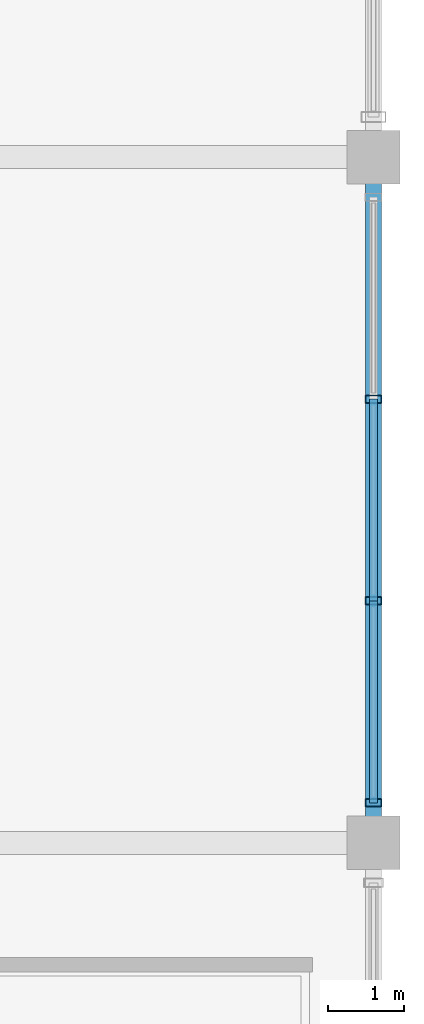
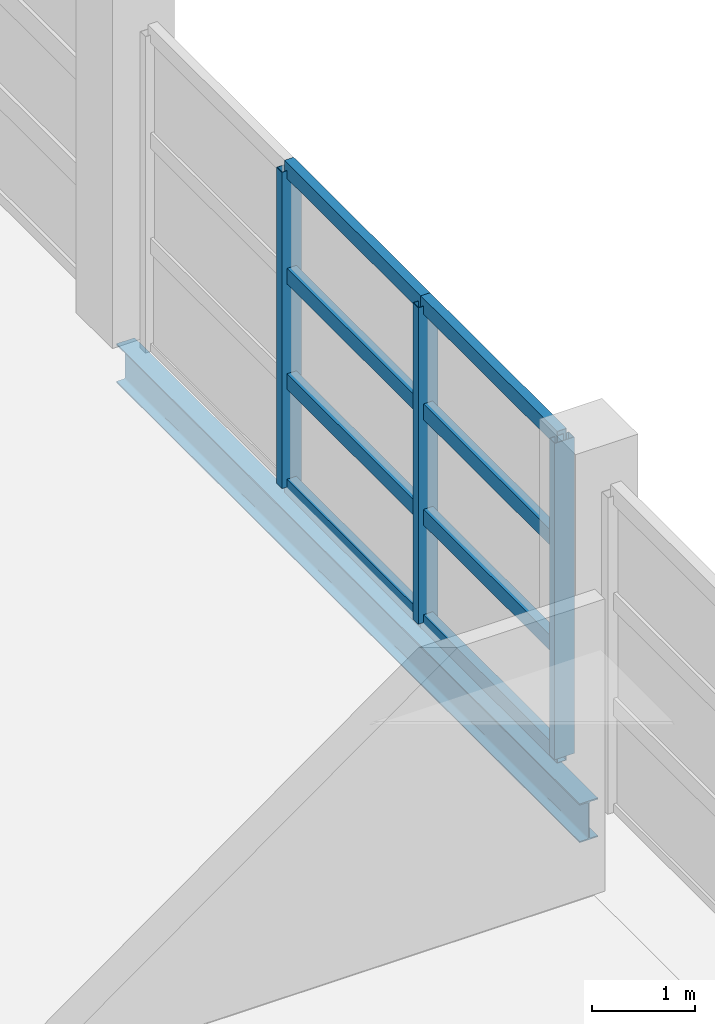
# One storey, part 64 of 136: 11 members, 1 beam, 1 element without a shape of its own.
"""IFC4 building model written with IfcOpenShell, lengths in metres."""

import ifcopenshell
import ifcopenshell.guid

model = None  # the IFC model being written
_history = None  # IfcOwnerHistory: only IFC2X3 demands one
_inside = {}  # id of a spatial element -> (the spatial element, [elements in it])
_under = {}  # id of a project, library or spatial element -> (it, [spatial elements below it])
_declared = {}  # id of a project -> (the project, [libraries it declares])
_typed = {}  # id of a type object -> (the type object, [elements of that type])
_made_of = {}  # id of a material, layer set ... -> (it, [elements and type objects made of it])


def new_model(schema):
    """Start an empty IFC model of exactly this schema.

    Asked for "IFC4X3", IfcOpenShell would pick the latest addendum, in which some entities
    have other attributes; the version numbers below select the first issue.
    IFC2X3 requires an IfcOwnerHistory on every rooted entity: one is made here for all.
    """
    global model, _history
    if schema == "IFC4X3":
        model = ifcopenshell.file(schema_version=(4, 3, 0, 0))
    else:
        model = ifcopenshell.file(schema=schema)
    _inside.clear()
    _under.clear()
    _declared.clear()
    _typed.clear()
    _made_of.clear()
    _history = None
    if model.schema == "IFC2X3":
        org = make("IfcOrganization", Name="unknown")
        user = make(
            "IfcPersonAndOrganization",
            ThePerson=make("IfcPerson", FamilyName="unknown"),
            TheOrganization=org,
        )
        app = make(
            "IfcApplication",
            ApplicationDeveloper=org,
            Version="unknown",
            ApplicationFullName="unknown",
            ApplicationIdentifier="unknown",
        )
        _history = make(
            "IfcOwnerHistory",
            OwningUser=user,
            OwningApplication=app,
            ChangeAction="ADDED",
            CreationDate=0,
        )
    return model


def make(cls, **values):
    """One entity of the class cls with the attributes given. An attribute that is None is left unset."""
    return model.create_entity(
        cls, **{name: value for name, value in values.items() if value is not None}
    )


def rooted(cls, **values):
    """An entity with a GlobalId (a new one), such as an element, a storey or a relation."""
    return make(cls, GlobalId=ifcopenshell.guid.new(), OwnerHistory=_history, **values)


def si_unit(unit_type, name, prefix=None):
    """IfcSIUnit, for example si_unit("LENGTHUNIT", "METRE", prefix="MILLI")."""
    return make("IfcSIUnit", UnitType=unit_type, Prefix=prefix, Name=name)


def assignment(units):
    """IfcUnitAssignment: the units of a project."""
    return None if units is None else make("IfcUnitAssignment", Units=units)


def point(xyz):
    """IfcCartesianPoint."""
    return None if xyz is None else make("IfcCartesianPoint", Coordinates=xyz)


def direction(xyz):
    """IfcDirection."""
    return None if xyz is None else make("IfcDirection", DirectionRatios=xyz)


def frame(location, z_axis=None, x_axis=None):
    """IfcAxis2Placement3D, a coordinate frame: its origin and axes. An axis left out is left unset."""
    return make(
        "IfcAxis2Placement3D",
        Location=point(location),
        Axis=direction(z_axis),
        RefDirection=direction(x_axis),
    )


def frame_2d(location, x_axis=None):
    """IfcAxis2Placement2D, a coordinate frame in the plane: its origin and x axis."""
    return make(
        "IfcAxis2Placement2D", Location=point(location), RefDirection=direction(x_axis)
    )


def origin():
    """The frame at (0, 0, 0) with its axes left unset."""
    return frame((0.0, 0.0, 0.0))


def origin_2d():
    """The frame at (0, 0) in the plane with its x axis left unset."""
    return frame_2d((0.0, 0.0))


def place(relative_to, where):
    """IfcLocalPlacement: puts the frame where relative to a parent placement (None: the world)."""
    return make(
        "IfcLocalPlacement", PlacementRelTo=relative_to, RelativePlacement=where
    )


def context(
    kind, dimensions, precision=None, world=None, true_north=None, identifier=None
):
    """IfcGeometricRepresentationContext, for example the 3D "Model" context."""
    return make(
        "IfcGeometricRepresentationContext",
        ContextIdentifier=identifier,
        ContextType=kind,
        CoordinateSpaceDimension=dimensions,
        Precision=precision,
        WorldCoordinateSystem=world,
        TrueNorth=true_north,
    )


def subcontext(parent, identifier, kind, view, scale=None):
    """IfcGeometricRepresentationSubContext, for example "Body" below "Model"."""
    return make(
        "IfcGeometricRepresentationSubContext",
        ContextIdentifier=identifier,
        ContextType=kind,
        ParentContext=parent,
        TargetScale=scale,
        TargetView=view,
    )


def project(units=None, contexts=None):
    """IfcProject with its units and contexts."""
    return rooted(
        "IfcProject",
        Name="project",
        RepresentationContexts=contexts,
        UnitsInContext=assignment(units),
    )


def spatial(cls, under=None, at=None, **own):
    """A site, building, storey or space (cls), placed at a placement, below another one or the project."""
    s = rooted(cls, ObjectPlacement=at, **own)
    if under is not None:
        _under.setdefault(under.id(), (under, []))[1].append(s)
    return s


def profile(cls, at=None, kind="AREA", **sizes):
    """A parametric profile (cls). Its sizes go by their IFC names, for example OverallWidth=200.0."""
    return make(cls, ProfileType=kind, Position=at, **sizes)


def hollow_rectangle(**sizes):
    """IfcRectangleHollowProfileDef."""
    return profile("IfcRectangleHollowProfileDef", **sizes)


def i_section(**sizes):
    """IfcIShapeProfileDef."""
    return profile("IfcIShapeProfileDef", **sizes)


def extrude(swept, where, along, depth):
    """IfcExtrudedAreaSolid: the profile swept, set in the frame where, extruded along a direction by depth."""
    return make(
        "IfcExtrudedAreaSolid",
        SweptArea=swept,
        Position=where,
        ExtrudedDirection=direction(along),
        Depth=depth,
    )


def shape(context_of_items, identifier, shape_type, items):
    """IfcShapeRepresentation: the items that make up one representation, for example the "Body"."""
    return make(
        "IfcShapeRepresentation",
        ContextOfItems=context_of_items,
        RepresentationIdentifier=identifier,
        RepresentationType=shape_type,
        Items=items,
    )


def material(Name=None, Category=None):
    """IfcMaterial."""
    return make("IfcMaterial", Name=Name, Category=Category)


def material_profile(
    of_material, cross_section, Name=None, Category=None, Priority=None
):
    """IfcMaterialProfile: a cross section and its material."""
    return make(
        "IfcMaterialProfile",
        Name=Name,
        Material=of_material,
        Profile=cross_section,
        Priority=Priority,
        Category=Category,
    )


def profile_set(profiles, Name=None, composite=None):
    """IfcMaterialProfileSet."""
    return make(
        "IfcMaterialProfileSet",
        Name=Name,
        MaterialProfiles=profiles,
        CompositeProfile=composite,
    )


def made_of(thing, what):
    """Note that an element or type object is made of a material, layer set ...; save() writes the relation."""
    if what is not None:
        _made_of.setdefault(what.id(), (what, []))[1].append(thing)
    return thing


def type_object(cls, material=None, **own):
    """A type object (cls), such as IfcWallType, which elements share."""
    return made_of(rooted(cls, **own), material)


def element(
    cls,
    number,
    at=None,
    inside=None,
    cuts=None,
    type_object=None,
    material=None,
    context=None,
    identifier="Body",
    shape_type=None,
    held_by="IfcProductDefinitionShape",
    body=None,
    shapes=None,
    **own,
):
    """One element of the class cls, such as IfcWall. Its Tag is "e" and its number.

    at: its placement. inside: the storey or other place that contains it. cuts: it is an
    opening in that element (IfcRelVoidsElement). A single representation is given by context,
    identifier, shape_type and body (its items); several are given by shapes. held_by: the class
    of the entity that holds the representations. save() writes the other relations.
    """
    e = rooted(cls, Tag="e%d" % number, ObjectPlacement=at, **own)
    if body is not None:
        shapes = [shape(context, identifier, shape_type, body)]
    if shapes is not None:
        e.Representation = make(held_by, Representations=shapes)
    if inside is not None:
        _inside.setdefault(inside.id(), (inside, []))[1].append(e)
    if cuts is not None:
        rooted(
            "IfcRelVoidsElement", RelatingBuildingElement=cuts, RelatedOpeningElement=e
        )
    if type_object is not None:
        _typed.setdefault(type_object.id(), (type_object, []))[1].append(e)
    return made_of(e, material)


def aggregate(whole, parts):
    """IfcRelAggregates: a whole, such as a stair, and the parts it consists of."""
    return rooted("IfcRelAggregates", RelatingObject=whole, RelatedObjects=parts)


def save(model, path):
    """Write the relations noted so far, then the file.

    IfcRelAggregates (storeys below a building ...), IfcRelContainedInSpatialStructure (elements
    in a storey), IfcRelDefinesByType, IfcRelAssociatesMaterial and IfcRelDeclares: one each for
    every whole, place, type object, material and project.
    """
    for whole, parts in _under.values():
        aggregate(whole, parts)
    for where, things in _inside.values():
        rooted(
            "IfcRelContainedInSpatialStructure",
            RelatedElements=things,
            RelatingStructure=where,
        )
    for kind, things in _typed.values():
        rooted("IfcRelDefinesByType", RelatedObjects=things, RelatingType=kind)
    for what, things in _made_of.values():
        rooted("IfcRelAssociatesMaterial", RelatedObjects=things, RelatingMaterial=what)
    for by, libraries in _declared.values():
        rooted("IfcRelDeclares", RelatingContext=by, RelatedDefinitions=libraries)
    model.write(path)


model = new_model("IFC4")

# Units and contexts
model_context = context("Model", 3, precision=1e-05, world=origin(), true_north=direction((0.0, 1.0)))
body_context = subcontext(model_context, "Body", "Model", "MODEL_VIEW")
ifc_project = project(units=[si_unit("LENGTHUNIT", "METRE"), si_unit("AREAUNIT", "SQUARE_METRE"), si_unit("VOLUMEUNIT", "CUBIC_METRE"), si_unit("PLANEANGLEUNIT", "RADIAN"), si_unit("MASSUNIT", "GRAM", prefix="KILO")], contexts=[model_context])

# Site, building, storey
site_placement = place(None, origin())
site = spatial("IfcSite", under=ifc_project, at=site_placement, CompositionType="ELEMENT")
building_placement = place(site_placement, origin())
building = spatial("IfcBuilding", under=site, at=building_placement, Name="Chuanluo Vaults Station", CompositionType="ELEMENT")
storey_placement = place(building_placement, frame((0.0, 0.0, 6.60009765625)))
storey = spatial("IfcBuildingStorey", under=building, at=storey_placement, Name="L01", CompositionType="ELEMENT", Elevation=6.60009765625)

# Beam
ifc_material_1 = material(Name="Steel Q355C", Category="steel")
ifc_material_profile_1 = material_profile(ifc_material_1, i_section(OverallWidth=0.205078125, OverallDepth=0.4599609375, WebThickness=0.009033203125, FlangeThickness=0.013916015625, FilletRadius=0.01611328125, at=origin_2d()))
ifc_profile_set_1 = profile_set([ifc_material_profile_1], Name="Steel Q355C")
beam_type = type_object("IfcBeamType", Name="BM-SPN-450", PredefinedType="SPANDREL", material=ifc_profile_set_1)
beam_placement = place(storey_placement, frame((188.0, 9.0, -0.47021484375), z_axis=(0.0, 1.0, 0.0), x_axis=(-1.0, 0.0, 0.0)))
element("IfcBeam", 1, at=beam_placement, inside=storey, type_object=beam_type, Name="Floor girder BM:GY:L01:0524", PredefinedType="SPANDREL", context=body_context, shape_type="SweptSolid", body=[
    extrude(i_section(OverallWidth=0.205078125, OverallDepth=0.4599609375, WebThickness=0.009033203125, FlangeThickness=0.013916015625, FilletRadius=0.01611328125, at=origin_2d()), origin(), (0.0, 0.0, 1.0), 9.0),
])

# Curtain wall, members
ifc_material_2 = material(Name="Anodised aluminium 6063-T6", Category="aluminium")
curtain_wall_type = type_object("IfcCurtainWallType", Name="CW-SYS-16", PredefinedType="NOTDEFINED", material=ifc_material_2)
curtain_wall_placement = place(storey_placement, origin())
curtain_wall = element("IfcCurtainWall", 2, at=curtain_wall_placement, inside=storey, type_object=curtain_wall_type, Name="Retail pavilion L01 facade CW", PredefinedType="NOTDEFINED")
ifc_material_3 = material(Name="Anodised aluminium 6063-T6", Category="aluminium")
ifc_material_profile_2 = material_profile(ifc_material_3, hollow_rectangle(XDim=0.10498046875, YDim=0.219970703125, WallThickness=0.006103515625, at=origin_2d()))
ifc_profile_set_2 = profile_set([ifc_material_profile_2], Name="Anodised aluminium 6063-T6")
member_type_1 = type_object("IfcMemberType", Name="CWM-140", PredefinedType="MULLION", material=ifc_profile_set_2)
member_1_placement = place(storey_placement, frame((188.0, 14.824951171875, 0.0), z_axis=(0.0, 0.0, 1.0), x_axis=(0.0, -1.0, 0.0)))
member_1 = element("IfcMember", 3, at=member_1_placement, type_object=member_type_1, Name="Retail pavilion L01 facade CW mullion 2", PredefinedType="MULLION", context=body_context, shape_type="SweptSolid", body=[
    extrude(hollow_rectangle(XDim=0.10498046875, YDim=0.219970703125, WallThickness=0.006103515625, at=origin_2d()), origin(), (0.0, 0.0, 1.0), 3.75),
])
member_2_placement = place(storey_placement, frame((188.0, 12.175048828125, 0.0), z_axis=(0.0, 0.0, 1.0), x_axis=(0.0, -1.0, 0.0)))
member_2 = element("IfcMember", 4, at=member_2_placement, type_object=member_type_1, Name="Retail pavilion L01 facade CW mullion 3", PredefinedType="MULLION", context=body_context, shape_type="SweptSolid", body=[
    extrude(hollow_rectangle(XDim=0.10498046875, YDim=0.219970703125, WallThickness=0.006103515625, at=origin_2d()), origin(), (0.0, 0.0, 1.0), 3.75),
])
member_3_placement = place(storey_placement, frame((188.0, 9.52490234375, 0.0), z_axis=(0.0, 0.0, 1.0), x_axis=(0.0, -1.0, 0.0)))
member_3 = element("IfcMember", 5, at=member_3_placement, type_object=member_type_1, Name="Retail pavilion L01 facade CW mullion 4", PredefinedType="MULLION", context=body_context, shape_type="SweptSolid", body=[
    extrude(hollow_rectangle(XDim=0.10498046875, YDim=0.219970703125, WallThickness=0.006103515625, at=origin_2d()), origin(), (0.0, 0.0, 1.0), 3.75),
])
ifc_material_4 = material(Name="Anodised aluminium 6063-T6", Category="aluminium")
ifc_material_profile_3 = material_profile(ifc_material_4, hollow_rectangle(XDim=0.10498046875, YDim=0.18505859375, WallThickness=0.0048828125, at=origin_2d()))
ifc_profile_set_3 = profile_set([ifc_material_profile_3], Name="Anodised aluminium 6063-T6")
member_type_2 = type_object("IfcMemberType", Name="CWT-110", PredefinedType="USERDEFINED", material=ifc_profile_set_3)
member_4_placement = place(storey_placement, frame((188.0, 14.824951171875, 0.0), z_axis=(0.0, -1.0, 0.0), x_axis=(1.0, 0.0, 0.0)))
member_4 = element("IfcMember", 6, at=member_4_placement, type_object=member_type_2, Name="Retail pavilion L01 facade CW transom 2.1", ObjectType="TRANSOM", PredefinedType="USERDEFINED", context=body_context, shape_type="SweptSolid", body=[
    extrude(hollow_rectangle(XDim=0.10498046875, YDim=0.18505859375, WallThickness=0.0048828125, at=origin_2d()), origin(), (0.0, 0.0, 1.0), 2.64990234375),
])
member_5_placement = place(storey_placement, frame((188.0, 14.824951171875, 1.25), z_axis=(0.0, -1.0, 0.0), x_axis=(1.0, 0.0, 0.0)))
member_5 = element("IfcMember", 7, at=member_5_placement, type_object=member_type_2, Name="Retail pavilion L01 facade CW transom 2.2", ObjectType="TRANSOM", PredefinedType="USERDEFINED", context=body_context, shape_type="SweptSolid", body=[
    extrude(hollow_rectangle(XDim=0.10498046875, YDim=0.18505859375, WallThickness=0.0048828125, at=origin_2d()), origin(), (0.0, 0.0, 1.0), 2.64990234375),
])
member_6_placement = place(storey_placement, frame((188.0, 14.824951171875, 2.5), z_axis=(0.0, -1.0, 0.0), x_axis=(1.0, 0.0, 0.0)))
member_6 = element("IfcMember", 8, at=member_6_placement, type_object=member_type_2, Name="Retail pavilion L01 facade CW transom 2.3", ObjectType="TRANSOM", PredefinedType="USERDEFINED", context=body_context, shape_type="SweptSolid", body=[
    extrude(hollow_rectangle(XDim=0.10498046875, YDim=0.18505859375, WallThickness=0.0048828125, at=origin_2d()), origin(), (0.0, 0.0, 1.0), 2.64990234375),
])
member_7_placement = place(storey_placement, frame((188.0, 14.824951171875, 3.75), z_axis=(0.0, -1.0, 0.0), x_axis=(1.0, 0.0, 0.0)))
member_7 = element("IfcMember", 9, at=member_7_placement, type_object=member_type_2, Name="Retail pavilion L01 facade CW transom 2.4", ObjectType="TRANSOM", PredefinedType="USERDEFINED", context=body_context, shape_type="SweptSolid", body=[
    extrude(hollow_rectangle(XDim=0.10498046875, YDim=0.18505859375, WallThickness=0.0048828125, at=origin_2d()), origin(), (0.0, 0.0, 1.0), 2.64990234375),
])
member_8_placement = place(storey_placement, frame((188.0, 12.175048828125, 0.0), z_axis=(0.0, -1.0, 0.0), x_axis=(1.0, 0.0, 0.0)))
member_8 = element("IfcMember", 10, at=member_8_placement, type_object=member_type_2, Name="Retail pavilion L01 facade CW transom 3.1", ObjectType="TRANSOM", PredefinedType="USERDEFINED", context=body_context, shape_type="SweptSolid", body=[
    extrude(hollow_rectangle(XDim=0.10498046875, YDim=0.18505859375, WallThickness=0.0048828125, at=origin_2d()), origin(), (0.0, 0.0, 1.0), 2.650146484375),
])
member_9_placement = place(storey_placement, frame((188.0, 12.175048828125, 1.25), z_axis=(0.0, -1.0, 0.0), x_axis=(1.0, 0.0, 0.0)))
member_9 = element("IfcMember", 11, at=member_9_placement, type_object=member_type_2, Name="Retail pavilion L01 facade CW transom 3.2", ObjectType="TRANSOM", PredefinedType="USERDEFINED", context=body_context, shape_type="SweptSolid", body=[
    extrude(hollow_rectangle(XDim=0.10498046875, YDim=0.18505859375, WallThickness=0.0048828125, at=origin_2d()), origin(), (0.0, 0.0, 1.0), 2.650146484375),
])
member_10_placement = place(storey_placement, frame((188.0, 12.175048828125, 2.5), z_axis=(0.0, -1.0, 0.0), x_axis=(1.0, 0.0, 0.0)))
member_10 = element("IfcMember", 12, at=member_10_placement, type_object=member_type_2, Name="Retail pavilion L01 facade CW transom 3.3", ObjectType="TRANSOM", PredefinedType="USERDEFINED", context=body_context, shape_type="SweptSolid", body=[
    extrude(hollow_rectangle(XDim=0.10498046875, YDim=0.18505859375, WallThickness=0.0048828125, at=origin_2d()), origin(), (0.0, 0.0, 1.0), 2.650146484375),
])
member_11_placement = place(storey_placement, frame((188.0, 12.175048828125, 3.75), z_axis=(0.0, -1.0, 0.0), x_axis=(1.0, 0.0, 0.0)))
member_11 = element("IfcMember", 13, at=member_11_placement, type_object=member_type_2, Name="Retail pavilion L01 facade CW transom 3.4", ObjectType="TRANSOM", PredefinedType="USERDEFINED", context=body_context, shape_type="SweptSolid", body=[
    extrude(hollow_rectangle(XDim=0.10498046875, YDim=0.18505859375, WallThickness=0.0048828125, at=origin_2d()), origin(), (0.0, 0.0, 1.0), 2.650146484375),
])
aggregate(curtain_wall, [member_1, member_2, member_3, member_4, member_5, member_6, member_7, member_8, member_9, member_10, member_11])

save(model, "model.ifc")
